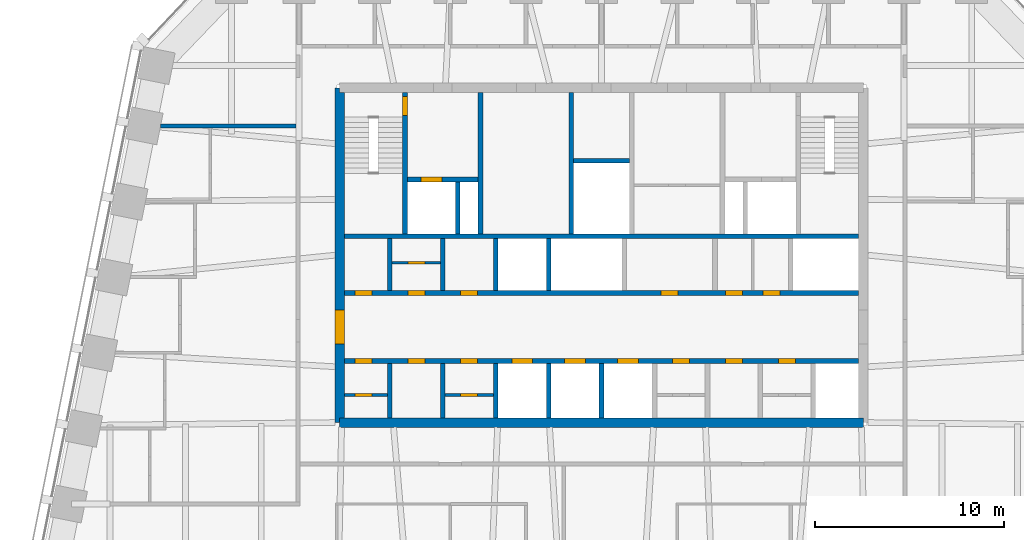
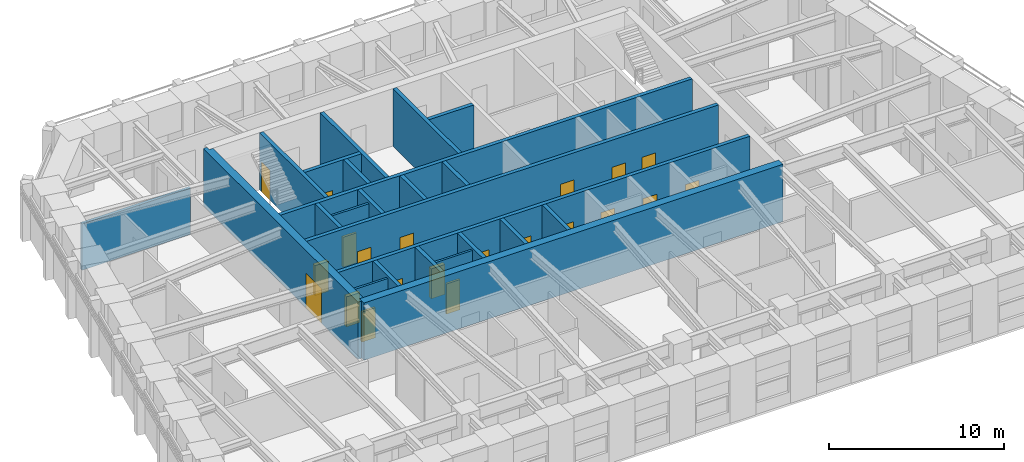
# One storey, part 6 of 11: 24 walls, 21 doors, 21 openings.
"""IFC4 building model written with IfcOpenShell, lengths in metres."""

from ifc_helpers import new_model, si_unit, direction, frame, frame_2d, origin, place, context, subcontext, project, spatial, polyline, rectangle, outline, extrude, material, layer, layer_set, type_object, element, fill, save


model = new_model("IFC4")

# Units and contexts
model_context = context("Model", 3, precision=1e-05, world=origin(), true_north=direction((0.0, 1.0)))
body_context = subcontext(model_context, "Body", "Model", "MODEL_VIEW")
ifc_project = project(units=[si_unit("LENGTHUNIT", "METRE"), si_unit("AREAUNIT", "SQUARE_METRE"), si_unit("VOLUMEUNIT", "CUBIC_METRE"), si_unit("PLANEANGLEUNIT", "RADIAN"), si_unit("MASSUNIT", "GRAM", prefix="KILO")], contexts=[model_context])

# Site, building, storey
site_placement = place(None, origin())
site = spatial("IfcSite", under=ifc_project, at=site_placement, CompositionType="ELEMENT")
building_placement = place(site_placement, origin())
building = spatial("IfcBuilding", under=site, at=building_placement, Name="Isbrekke Arena Tower", CompositionType="ELEMENT")
storey_placement = place(building_placement, frame((0.0, 0.0, 276.0)))
storey = spatial("IfcBuildingStorey", under=building, at=storey_placement, Name="L64", CompositionType="ELEMENT", Elevation=276.0)

# Wall
ifc_material_1 = material(Name="Concrete B55 (C55/67)", Category="concrete")
ifc_layer_1 = layer(ifc_material_1, 0.5)
ifc_layer_set_1 = layer_set([ifc_layer_1], Name="CW5 CORE WALL 500")
wall_type_1 = type_object("IfcWallType", Name="CW5 CORE WALL 500", PredefinedType="SHEAR", material=ifc_layer_set_1)
wall_1_placement = place(storey_placement, frame((-13.85009765625, 6.14990234375, 0.0), z_axis=(0.0, 0.0, 1.0), x_axis=(1.0, 0.0, 0.0)))
element("IfcWall", 1, at=wall_1_placement, inside=storey, type_object=wall_type_1, Name="Core wall S L64", PredefinedType="SHEAR", context=body_context, shape_type="SweptSolid", body=[
    extrude(rectangle(XDim=27.7001953125, YDim=0.5, at=frame_2d((13.85009765625, 0.0))), origin(), (0.0, 0.0, 1.0), 4.0),
])

# Wall, opening, door
wall_2_placement = place(storey_placement, frame((-13.85009765625, 23.85009765625, 0.0), z_axis=(0.0, 0.0, 1.0), x_axis=(0.0, -1.0, 0.0)))
wall_2 = element("IfcWall", 2, at=wall_2_placement, inside=storey, type_object=wall_type_1, Name="Core wall W L64", PredefinedType="SHEAR", context=body_context, shape_type="SweptSolid", body=[
    extrude(outline(polyline([(0.0, -0.25), (17.7001953125, -0.25), (17.7001953125, 0.0), (17.4501953125, 0.0), (17.4501953125, 0.25), (0.25, 0.25), (0.25, 0.0), (0.0, 0.0), (0.0, -0.25)])), origin(), (0.0, 0.0, 1.0), 4.0),
])
opening_1_placement = place(wall_2_placement, frame((11.75, 0.0, 0.0)))
opening_1 = element("IfcOpeningElement", 3, at=opening_1_placement, cuts=wall_2, Name="Opening D1", PredefinedType="OPENING", context=body_context, shape_type="SweptSolid", body=[
    extrude(rectangle(XDim=1.800048828125, YDim=2.39990234375, at=frame_2d((0.89990234375, 1.199951171875))), frame((0.0, 0.264892578125, 0.0), z_axis=(0.0, -1.0, 0.0), x_axis=(1.0, 0.0, 0.0)), (0.0, 0.0, 1.0), 0.52978515625),
])
ifc_material_2 = material(Name="Steel-framed glazed fire door", Category="steel")
door_type_1 = type_object("IfcDoorType", Name="D1 CORE LOBBY DOOR 1800 x 2400", OperationType="DOUBLE_DOOR_SINGLE_SWING", PredefinedType="DOOR", material=ifc_material_2)
door_1_placement = place(opening_1_placement, origin())
door_1 = element("IfcDoor", 4, at=door_1_placement, inside=storey, type_object=door_type_1, Name="D1 lift lobby door west L64", OperationType="DOUBLE_DOOR_SINGLE_SWING", OverallHeight=2.39990234375, OverallWidth=1.800048828125, PredefinedType="DOOR", context=body_context, shape_type="SweptSolid", body=[
    extrude(rectangle(XDim=1.800048828125, YDim=2.39990234375, at=frame_2d((0.89990234375, 1.199951171875))), frame((0.0, 0.249755859375, 0.0), z_axis=(0.0, -1.0, 0.0), x_axis=(1.0, 0.0, 0.0)), (0.0, 0.0, 1.0), 0.49951171875),
])
fill(opening_1, door_1)

# Wall, openings, doors
ifc_material_3 = material(Name="Concrete B45 (C45/55)", Category="concrete")
ifc_layer_2 = layer(ifc_material_3, 0.25)
ifc_layer_set_2 = layer_set([ifc_layer_2], Name="CW6 SHAFT WALL 250")
wall_type_2 = type_object("IfcWallType", Name="CW6 SHAFT WALL 250", PredefinedType="SHEAR", material=ifc_layer_set_2)
wall_3_placement = place(storey_placement, frame((-13.60009765625, 9.39990234375, 0.0), z_axis=(0.0, 0.0, 1.0), x_axis=(1.0, 0.0, 0.0)))
wall_3 = element("IfcWall", 5, at=wall_3_placement, inside=storey, type_object=wall_type_2, Name="Core wall LS L64", PredefinedType="SHEAR", context=body_context, shape_type="SweptSolid", body=[
    extrude(rectangle(XDim=27.2001953125, YDim=0.25, at=frame_2d((13.60009765625, 0.0))), origin(), (0.0, 0.0, 1.0), 4.0),
])
opening_2_placement = place(wall_3_placement, frame((8.85009765625, 0.0, 0.0)))
opening_2 = element("IfcOpeningElement", 6, at=opening_2_placement, cuts=wall_3, Name="Opening LD1", PredefinedType="OPENING", context=body_context, shape_type="SweptSolid", body=[
    extrude(rectangle(XDim=1.10009765625, YDim=2.10009765625, at=frame_2d((0.550048828125, 1.050048828125))), frame((0.0, 0.139892578125, 0.0), z_axis=(0.0, -1.0, 0.0), x_axis=(1.0, 0.0, 0.0)), (0.0, 0.0, 1.0), 0.27978515625),
])
opening_3_placement = place(wall_3_placement, frame((11.64990234375, 0.0, 0.0)))
opening_3 = element("IfcOpeningElement", 7, at=opening_3_placement, cuts=wall_3, Name="Opening LD1", PredefinedType="OPENING", context=body_context, shape_type="SweptSolid", body=[
    extrude(rectangle(XDim=1.10009765625, YDim=2.10009765625, at=frame_2d((0.550048828125, 1.050048828125))), frame((0.0, 0.139892578125, 0.0), z_axis=(0.0, -1.0, 0.0), x_axis=(1.0, 0.0, 0.0)), (0.0, 0.0, 1.0), 0.27978515625),
])
opening_4_placement = place(wall_3_placement, frame((14.449951171875, 0.0, 0.0)))
opening_4 = element("IfcOpeningElement", 8, at=opening_4_placement, cuts=wall_3, Name="Opening LD1", PredefinedType="OPENING", context=body_context, shape_type="SweptSolid", body=[
    extrude(rectangle(XDim=1.10009765625, YDim=2.10009765625, at=frame_2d((0.550048828125, 1.050048828125))), frame((0.0, 0.139892578125, 0.0), z_axis=(0.0, -1.0, 0.0), x_axis=(1.0, 0.0, 0.0)), (0.0, 0.0, 1.0), 0.27978515625),
])
opening_5_placement = place(wall_3_placement, frame((0.550048828125, 0.0, 0.0)))
opening_5 = element("IfcOpeningElement", 9, at=opening_5_placement, cuts=wall_3, Name="Opening D5", PredefinedType="OPENING", context=body_context, shape_type="SweptSolid", body=[
    extrude(rectangle(XDim=0.89990234375, YDim=2.10009765625, at=frame_2d((0.449951171875, 1.050048828125))), frame((0.0, 0.139892578125, 0.0), z_axis=(0.0, -1.0, 0.0), x_axis=(1.0, 0.0, 0.0)), (0.0, 0.0, 1.0), 0.27978515625),
])
opening_6_placement = place(wall_3_placement, frame((3.35009765625, 0.0, 0.0)))
opening_6 = element("IfcOpeningElement", 10, at=opening_6_placement, cuts=wall_3, Name="Opening D5", PredefinedType="OPENING", context=body_context, shape_type="SweptSolid", body=[
    extrude(rectangle(XDim=0.89990234375, YDim=2.10009765625, at=frame_2d((0.449951171875, 1.050048828125))), frame((0.0, 0.139892578125, 0.0), z_axis=(0.0, -1.0, 0.0), x_axis=(1.0, 0.0, 0.0)), (0.0, 0.0, 1.0), 0.27978515625),
])
opening_7_placement = place(wall_3_placement, frame((6.14990234375, 0.0, 0.0)))
opening_7 = element("IfcOpeningElement", 11, at=opening_7_placement, cuts=wall_3, Name="Opening D5", PredefinedType="OPENING", context=body_context, shape_type="SweptSolid", body=[
    extrude(rectangle(XDim=0.89990234375, YDim=2.10009765625, at=frame_2d((0.449951171875, 1.050048828125))), frame((0.0, 0.139892578125, 0.0), z_axis=(0.0, -1.0, 0.0), x_axis=(1.0, 0.0, 0.0)), (0.0, 0.0, 1.0), 0.27978515625),
])
opening_8_placement = place(wall_3_placement, frame((17.35009765625, 0.0, 0.0)))
opening_8 = element("IfcOpeningElement", 12, at=opening_8_placement, cuts=wall_3, Name="Opening D5", PredefinedType="OPENING", context=body_context, shape_type="SweptSolid", body=[
    extrude(rectangle(XDim=0.89990234375, YDim=2.10009765625, at=frame_2d((0.449951171875, 1.050048828125))), frame((0.0, 0.139892578125, 0.0), z_axis=(0.0, -1.0, 0.0), x_axis=(1.0, 0.0, 0.0)), (0.0, 0.0, 1.0), 0.27978515625),
])
opening_9_placement = place(wall_3_placement, frame((20.14990234375, 0.0, 0.0)))
opening_9 = element("IfcOpeningElement", 13, at=opening_9_placement, cuts=wall_3, Name="Opening D5", PredefinedType="OPENING", context=body_context, shape_type="SweptSolid", body=[
    extrude(rectangle(XDim=0.89990234375, YDim=2.10009765625, at=frame_2d((0.449951171875, 1.050048828125))), frame((0.0, 0.139892578125, 0.0), z_axis=(0.0, -1.0, 0.0), x_axis=(1.0, 0.0, 0.0)), (0.0, 0.0, 1.0), 0.27978515625),
])
opening_10_placement = place(wall_3_placement, frame((22.949951171875, 0.0, 0.0)))
opening_10 = element("IfcOpeningElement", 14, at=opening_10_placement, cuts=wall_3, Name="Opening D5", PredefinedType="OPENING", context=body_context, shape_type="SweptSolid", body=[
    extrude(rectangle(XDim=0.89990234375, YDim=2.10009765625, at=frame_2d((0.449951171875, 1.050048828125))), frame((0.0, 0.139892578125, 0.0), z_axis=(0.0, -1.0, 0.0), x_axis=(1.0, 0.0, 0.0)), (0.0, 0.0, 1.0), 0.27978515625),
])
ifc_material_4 = material(Name="Steel fire door", Category="steel")
door_type_2 = type_object("IfcDoorType", Name="D5 SERVICE DOOR 900 x 2100", OperationType="SINGLE_SWING_LEFT", PredefinedType="DOOR", material=ifc_material_4)
door_2_placement = place(opening_5_placement, origin())
door_2 = element("IfcDoor", 15, at=door_2_placement, inside=storey, type_object=door_type_2, Name="D5 mothers' room door L64", OperationType="SINGLE_SWING_LEFT", OverallHeight=2.10009765625, OverallWidth=0.89990234375, PredefinedType="DOOR", context=body_context, shape_type="SweptSolid", body=[
    extrude(rectangle(XDim=0.89990234375, YDim=2.10009765625, at=frame_2d((0.449951171875, 1.050048828125))), frame((0.0, 0.124755859375, 0.0), z_axis=(0.0, -1.0, 0.0), x_axis=(1.0, 0.0, 0.0)), (0.0, 0.0, 1.0), 0.24951171875),
])
fill(opening_5, door_2)
door_3_placement = place(opening_6_placement, origin())
door_3 = element("IfcDoor", 16, at=door_3_placement, inside=storey, type_object=door_type_2, Name="D5 technical room door L64", OperationType="SINGLE_SWING_LEFT", OverallHeight=2.10009765625, OverallWidth=0.89990234375, PredefinedType="DOOR", context=body_context, shape_type="SweptSolid", body=[
    extrude(rectangle(XDim=0.89990234375, YDim=2.10009765625, at=frame_2d((0.449951171875, 1.050048828125))), frame((0.0, 0.124755859375, 0.0), z_axis=(0.0, -1.0, 0.0), x_axis=(1.0, 0.0, 0.0)), (0.0, 0.0, 1.0), 0.24951171875),
])
fill(opening_6, door_3)
door_4_placement = place(opening_7_placement, origin())
door_4 = element("IfcDoor", 17, at=door_4_placement, inside=storey, type_object=door_type_2, Name="D5 pantry door L64", OperationType="SINGLE_SWING_LEFT", OverallHeight=2.10009765625, OverallWidth=0.89990234375, PredefinedType="DOOR", context=body_context, shape_type="SweptSolid", body=[
    extrude(rectangle(XDim=0.89990234375, YDim=2.10009765625, at=frame_2d((0.449951171875, 1.050048828125))), frame((0.0, 0.124755859375, 0.0), z_axis=(0.0, -1.0, 0.0), x_axis=(1.0, 0.0, 0.0)), (0.0, 0.0, 1.0), 0.24951171875),
])
fill(opening_7, door_4)
door_5_placement = place(opening_8_placement, origin())
door_5 = element("IfcDoor", 18, at=door_5_placement, inside=storey, type_object=door_type_2, Name="D5 print room door L64", OperationType="SINGLE_SWING_LEFT", OverallHeight=2.10009765625, OverallWidth=0.89990234375, PredefinedType="DOOR", context=body_context, shape_type="SweptSolid", body=[
    extrude(rectangle(XDim=0.89990234375, YDim=2.10009765625, at=frame_2d((0.449951171875, 1.050048828125))), frame((0.0, 0.124755859375, 0.0), z_axis=(0.0, -1.0, 0.0), x_axis=(1.0, 0.0, 0.0)), (0.0, 0.0, 1.0), 0.24951171875),
])
fill(opening_8, door_5)
door_6_placement = place(opening_9_placement, origin())
door_6 = element("IfcDoor", 19, at=door_6_placement, inside=storey, type_object=door_type_2, Name="D5 archive door L64", OperationType="SINGLE_SWING_LEFT", OverallHeight=2.10009765625, OverallWidth=0.89990234375, PredefinedType="DOOR", context=body_context, shape_type="SweptSolid", body=[
    extrude(rectangle(XDim=0.89990234375, YDim=2.10009765625, at=frame_2d((0.449951171875, 1.050048828125))), frame((0.0, 0.124755859375, 0.0), z_axis=(0.0, -1.0, 0.0), x_axis=(1.0, 0.0, 0.0)), (0.0, 0.0, 1.0), 0.24951171875),
])
fill(opening_9, door_6)
door_7_placement = place(opening_10_placement, origin())
door_7 = element("IfcDoor", 20, at=door_7_placement, inside=storey, type_object=door_type_2, Name="D5 tea point door L64", OperationType="SINGLE_SWING_LEFT", OverallHeight=2.10009765625, OverallWidth=0.89990234375, PredefinedType="DOOR", context=body_context, shape_type="SweptSolid", body=[
    extrude(rectangle(XDim=0.89990234375, YDim=2.10009765625, at=frame_2d((0.449951171875, 1.050048828125))), frame((0.0, 0.124755859375, 0.0), z_axis=(0.0, -1.0, 0.0), x_axis=(1.0, 0.0, 0.0)), (0.0, 0.0, 1.0), 0.24951171875),
])
fill(opening_10, door_7)
ifc_material_5 = material(Name="Stainless steel lift landing door", Category="steel")
door_type_3 = type_object("IfcDoorType", Name="LD1 LIFT LANDING DOOR 1100 x 2100", OperationType="SLIDING_TO_LEFT", PredefinedType="DOOR", material=ifc_material_5)
door_8_placement = place(opening_2_placement, origin())
door_8 = element("IfcDoor", 21, at=door_8_placement, inside=storey, type_object=door_type_3, Name="LD1 lift landing door LE L64", OperationType="SLIDING_TO_LEFT", OverallHeight=2.10009765625, OverallWidth=1.10009765625, PredefinedType="DOOR", context=body_context, shape_type="SweptSolid", body=[
    extrude(rectangle(XDim=1.10009765625, YDim=2.10009765625, at=frame_2d((0.550048828125, 1.050048828125))), frame((0.0, 0.124755859375, 0.0), z_axis=(0.0, -1.0, 0.0), x_axis=(1.0, 0.0, 0.0)), (0.0, 0.0, 1.0), 0.24951171875),
])
fill(opening_2, door_8)
door_9_placement = place(opening_3_placement, origin())
door_9 = element("IfcDoor", 22, at=door_9_placement, inside=storey, type_object=door_type_3, Name="LD1 lift landing door LE L64", OperationType="SLIDING_TO_LEFT", OverallHeight=2.10009765625, OverallWidth=1.10009765625, PredefinedType="DOOR", context=body_context, shape_type="SweptSolid", body=[
    extrude(rectangle(XDim=1.10009765625, YDim=2.10009765625, at=frame_2d((0.550048828125, 1.050048828125))), frame((0.0, 0.124755859375, 0.0), z_axis=(0.0, -1.0, 0.0), x_axis=(1.0, 0.0, 0.0)), (0.0, 0.0, 1.0), 0.24951171875),
])
fill(opening_3, door_9)
door_10_placement = place(opening_4_placement, origin())
door_10 = element("IfcDoor", 23, at=door_10_placement, inside=storey, type_object=door_type_3, Name="LD1 lift landing door LE L64", OperationType="SLIDING_TO_LEFT", OverallHeight=2.10009765625, OverallWidth=1.10009765625, PredefinedType="DOOR", context=body_context, shape_type="SweptSolid", body=[
    extrude(rectangle(XDim=1.10009765625, YDim=2.10009765625, at=frame_2d((0.550048828125, 1.050048828125))), frame((0.0, 0.124755859375, 0.0), z_axis=(0.0, -1.0, 0.0), x_axis=(1.0, 0.0, 0.0)), (0.0, 0.0, 1.0), 0.24951171875),
])
fill(opening_4, door_10)

wall_4_placement = place(storey_placement, frame((-13.60009765625, 13.0, 0.0), z_axis=(0.0, 0.0, 1.0), x_axis=(1.0, 0.0, 0.0)))
wall_4 = element("IfcWall", 24, at=wall_4_placement, inside=storey, type_object=wall_type_2, Name="Core wall LN L64", PredefinedType="SHEAR", context=body_context, shape_type="SweptSolid", body=[
    extrude(rectangle(XDim=27.2001953125, YDim=0.25, at=frame_2d((13.60009765625, 0.0))), origin(), (0.0, 0.0, 1.0), 4.0),
])
opening_11_placement = place(wall_4_placement, frame((16.75, 0.0, 0.0)))
opening_11 = element("IfcOpeningElement", 25, at=opening_11_placement, cuts=wall_4, Name="Opening D5", PredefinedType="OPENING", context=body_context, shape_type="SweptSolid", body=[
    extrude(rectangle(XDim=0.89990234375, YDim=2.10009765625, at=frame_2d((0.449951171875, 1.050048828125))), frame((0.0, 0.139892578125, 0.0), z_axis=(0.0, -1.0, 0.0), x_axis=(1.0, 0.0, 0.0)), (0.0, 0.0, 1.0), 0.27978515625),
])
opening_12_placement = place(wall_4_placement, frame((20.14990234375, 0.0, 0.0)))
opening_12 = element("IfcOpeningElement", 26, at=opening_12_placement, cuts=wall_4, Name="Opening D5", PredefinedType="OPENING", context=body_context, shape_type="SweptSolid", body=[
    extrude(rectangle(XDim=0.89990234375, YDim=2.10009765625, at=frame_2d((0.449951171875, 1.050048828125))), frame((0.0, 0.139892578125, 0.0), z_axis=(0.0, -1.0, 0.0), x_axis=(1.0, 0.0, 0.0)), (0.0, 0.0, 1.0), 0.27978515625),
])
opening_13_placement = place(wall_4_placement, frame((22.14990234375, 0.0, 0.0)))
opening_13 = element("IfcOpeningElement", 27, at=opening_13_placement, cuts=wall_4, Name="Opening D5", PredefinedType="OPENING", context=body_context, shape_type="SweptSolid", body=[
    extrude(rectangle(XDim=0.89990234375, YDim=2.10009765625, at=frame_2d((0.449951171875, 1.050048828125))), frame((0.0, 0.139892578125, 0.0), z_axis=(0.0, -1.0, 0.0), x_axis=(1.0, 0.0, 0.0)), (0.0, 0.0, 1.0), 0.27978515625),
])
opening_14_placement = place(wall_4_placement, frame((0.550048828125, 0.0, 0.0)))
opening_14 = element("IfcOpeningElement", 28, at=opening_14_placement, cuts=wall_4, Name="Opening D5", PredefinedType="OPENING", context=body_context, shape_type="SweptSolid", body=[
    extrude(rectangle(XDim=0.89990234375, YDim=2.10009765625, at=frame_2d((0.449951171875, 1.050048828125))), frame((0.0, 0.139892578125, 0.0), z_axis=(0.0, -1.0, 0.0), x_axis=(1.0, 0.0, 0.0)), (0.0, 0.0, 1.0), 0.27978515625),
])
opening_15_placement = place(wall_4_placement, frame((3.35009765625, 0.0, 0.0)))
opening_15 = element("IfcOpeningElement", 29, at=opening_15_placement, cuts=wall_4, Name="Opening D5", PredefinedType="OPENING", context=body_context, shape_type="SweptSolid", body=[
    extrude(rectangle(XDim=0.89990234375, YDim=2.10009765625, at=frame_2d((0.449951171875, 1.050048828125))), frame((0.0, 0.139892578125, 0.0), z_axis=(0.0, -1.0, 0.0), x_axis=(1.0, 0.0, 0.0)), (0.0, 0.0, 1.0), 0.27978515625),
])
opening_16_placement = place(wall_4_placement, frame((6.14990234375, 0.0, 0.0)))
opening_16 = element("IfcOpeningElement", 30, at=opening_16_placement, cuts=wall_4, Name="Opening D5", PredefinedType="OPENING", context=body_context, shape_type="SweptSolid", body=[
    extrude(rectangle(XDim=0.89990234375, YDim=2.10009765625, at=frame_2d((0.449951171875, 1.050048828125))), frame((0.0, 0.139892578125, 0.0), z_axis=(0.0, -1.0, 0.0), x_axis=(1.0, 0.0, 0.0)), (0.0, 0.0, 1.0), 0.27978515625),
])
door_11_placement = place(opening_11_placement, origin())
door_11 = element("IfcDoor", 31, at=door_11_placement, inside=storey, type_object=door_type_2, Name="D5 quiet room door L64", OperationType="SINGLE_SWING_LEFT", OverallHeight=2.10009765625, OverallWidth=0.89990234375, PredefinedType="DOOR", context=body_context, shape_type="SweptSolid", body=[
    extrude(rectangle(XDim=0.89990234375, YDim=2.10009765625, at=frame_2d((0.449951171875, 1.050048828125))), frame((0.0, 0.124755859375, 0.0), z_axis=(0.0, -1.0, 0.0), x_axis=(1.0, 0.0, 0.0)), (0.0, 0.0, 1.0), 0.24951171875),
])
fill(opening_11, door_11)
door_12_placement = place(opening_12_placement, origin())
door_12 = element("IfcDoor", 32, at=door_12_placement, inside=storey, type_object=door_type_2, Name="D5 communications room door L64", OperationType="SINGLE_SWING_LEFT", OverallHeight=2.10009765625, OverallWidth=0.89990234375, PredefinedType="DOOR", context=body_context, shape_type="SweptSolid", body=[
    extrude(rectangle(XDim=0.89990234375, YDim=2.10009765625, at=frame_2d((0.449951171875, 1.050048828125))), frame((0.0, 0.124755859375, 0.0), z_axis=(0.0, -1.0, 0.0), x_axis=(1.0, 0.0, 0.0)), (0.0, 0.0, 1.0), 0.24951171875),
])
fill(opening_12, door_12)
door_13_placement = place(opening_13_placement, origin())
door_13 = element("IfcDoor", 33, at=door_13_placement, inside=storey, type_object=door_type_2, Name="D5 cleaner's store door L64", OperationType="SINGLE_SWING_LEFT", OverallHeight=2.10009765625, OverallWidth=0.89990234375, PredefinedType="DOOR", context=body_context, shape_type="SweptSolid", body=[
    extrude(rectangle(XDim=0.89990234375, YDim=2.10009765625, at=frame_2d((0.449951171875, 1.050048828125))), frame((0.0, 0.124755859375, 0.0), z_axis=(0.0, -1.0, 0.0), x_axis=(1.0, 0.0, 0.0)), (0.0, 0.0, 1.0), 0.24951171875),
])
fill(opening_13, door_13)
door_14_placement = place(opening_14_placement, origin())
door_14 = element("IfcDoor", 34, at=door_14_placement, inside=storey, type_object=door_type_2, Name="D5 print room door L64", OperationType="SINGLE_SWING_LEFT", OverallHeight=2.10009765625, OverallWidth=0.89990234375, PredefinedType="DOOR", context=body_context, shape_type="SweptSolid", body=[
    extrude(rectangle(XDim=0.89990234375, YDim=2.10009765625, at=frame_2d((0.449951171875, 1.050048828125))), frame((0.0, 0.124755859375, 0.0), z_axis=(0.0, -1.0, 0.0), x_axis=(1.0, 0.0, 0.0)), (0.0, 0.0, 1.0), 0.24951171875),
])
fill(opening_14, door_14)
door_15_placement = place(opening_15_placement, origin())
door_15 = element("IfcDoor", 35, at=door_15_placement, inside=storey, type_object=door_type_2, Name="D5 print room door L64", OperationType="SINGLE_SWING_LEFT", OverallHeight=2.10009765625, OverallWidth=0.89990234375, PredefinedType="DOOR", context=body_context, shape_type="SweptSolid", body=[
    extrude(rectangle(XDim=0.89990234375, YDim=2.10009765625, at=frame_2d((0.449951171875, 1.050048828125))), frame((0.0, 0.124755859375, 0.0), z_axis=(0.0, -1.0, 0.0), x_axis=(1.0, 0.0, 0.0)), (0.0, 0.0, 1.0), 0.24951171875),
])
fill(opening_15, door_15)
door_16_placement = place(opening_16_placement, origin())
door_16 = element("IfcDoor", 36, at=door_16_placement, inside=storey, type_object=door_type_2, Name="D5 tenant store door L64", OperationType="SINGLE_SWING_LEFT", OverallHeight=2.10009765625, OverallWidth=0.89990234375, PredefinedType="DOOR", context=body_context, shape_type="SweptSolid", body=[
    extrude(rectangle(XDim=0.89990234375, YDim=2.10009765625, at=frame_2d((0.449951171875, 1.050048828125))), frame((0.0, 0.124755859375, 0.0), z_axis=(0.0, -1.0, 0.0), x_axis=(1.0, 0.0, 0.0)), (0.0, 0.0, 1.0), 0.24951171875),
])
fill(opening_16, door_16)

# Walls
wall_5_placement = place(storey_placement, frame((-13.60009765625, 16.0, 0.0), z_axis=(0.0, 0.0, 1.0), x_axis=(1.0, 0.0, 0.0)))
element("IfcWall", 37, at=wall_5_placement, inside=storey, type_object=wall_type_2, Name="Core wall NB L64", PredefinedType="SHEAR", context=body_context, shape_type="SweptSolid", body=[
    extrude(rectangle(XDim=27.2001953125, YDim=0.25, at=frame_2d((13.60009765625, 0.0))), origin(), (0.0, 0.0, 1.0), 4.0),
])
for number, where, z_axis, x_axis, name in (
    (38, (-11.199951171875, 6.39990234375, 0.0), (0.0, 0.0, 1.0), (0.0, 1.0, 0.0), "Core wall SS01 L64"),
    (39, (-8.39990234375, 6.39990234375, 0.0), (0.0, 0.0, 1.0), (0.0, 1.0, 0.0), "Core wall SS02 L64"),
    (40, (-5.60009765625, 6.39990234375, 0.0), (0.0, 0.0, 1.0), (0.0, 1.0, 0.0), "Core wall SS03 L64"),
    (41, (-2.800048828125, 6.39990234375, 0.0), (0.0, 0.0, 1.0), (0.0, 1.0, 0.0), "Core wall SS04 L64"),
    (42, (0.0, 6.39990234375, 0.0), (0.0, 0.0, 1.0), (0.0, 1.0, 0.0), "Core wall SS05 L64"),
):
    element("IfcWall", number, at=place(storey_placement, frame(where, z_axis=z_axis, x_axis=x_axis)), inside=storey, type_object=wall_type_2, Name=name, PredefinedType="SHEAR", context=body_context, shape_type="SweptSolid", body=[
        extrude(rectangle(XDim=2.875, YDim=0.25, at=frame_2d((1.4375, 0.0))), origin(), (0.0, 0.0, 1.0), 4.0),
    ])
for number, where, z_axis, x_axis, name in (
    (43, (-11.199951171875, 13.125, 0.0), (0.0, 0.0, 1.0), (0.0, 1.0, 0.0), "Core wall SN01 L64"),
    (44, (-8.39990234375, 13.125, 0.0), (0.0, 0.0, 1.0), (0.0, 1.0, 0.0), "Core wall SN02 L64"),
    (45, (-5.60009765625, 13.125, 0.0), (0.0, 0.0, 1.0), (0.0, 1.0, 0.0), "Core wall SN03 L64"),
    (46, (-2.800048828125, 13.125, 0.0), (0.0, 0.0, 1.0), (0.0, 1.0, 0.0), "Core wall SN04 L64"),
):
    element("IfcWall", number, at=place(storey_placement, frame(where, z_axis=z_axis, x_axis=x_axis)), inside=storey, type_object=wall_type_2, Name=name, PredefinedType="SHEAR", context=body_context, shape_type="SweptSolid", body=[
        extrude(rectangle(XDim=2.75, YDim=0.25, at=frame_2d((1.375, 0.0))), origin(), (0.0, 0.0, 1.0), 4.0),
    ])

# Wall, opening, door
wall_6_placement = place(storey_placement, frame((-10.39990234375, 16.125, 0.0), z_axis=(0.0, 0.0, 1.0), x_axis=(0.0, 1.0, 0.0)))
wall_6 = element("IfcWall", 47, at=wall_6_placement, inside=storey, type_object=wall_type_2, Name="Core wall NV01 L64", PredefinedType="SHEAR", context=body_context, shape_type="SweptSolid", body=[
    extrude(rectangle(XDim=7.47509765625, YDim=0.25, at=frame_2d((3.737548828125, 0.0))), origin(), (0.0, 0.0, 1.0), 4.0),
])
opening_17_placement = place(wall_6_placement, frame((6.27490234375, 0.0, 0.0)))
opening_17 = element("IfcOpeningElement", 48, at=opening_17_placement, cuts=wall_6, Name="Opening D2", PredefinedType="OPENING", context=body_context, shape_type="SweptSolid", body=[
    extrude(rectangle(XDim=1.0, YDim=2.10009765625, at=frame_2d((0.5, 1.050048828125))), frame((0.0, 0.139892578125, 0.0), z_axis=(0.0, -1.0, 0.0), x_axis=(1.0, 0.0, 0.0)), (0.0, 0.0, 1.0), 0.27978515625),
])
ifc_material_6 = material(Name="Steel fire door", Category="steel")
door_type_4 = type_object("IfcDoorType", Name="D2 STAIR DOOR 1000 x 2100", OperationType="SINGLE_SWING_LEFT", PredefinedType="DOOR", material=ifc_material_6)
door_17_placement = place(opening_17_placement, origin())
door_17 = element("IfcDoor", 49, at=door_17_placement, inside=storey, type_object=door_type_4, Name="D2 stair door ST1 L64", OperationType="SINGLE_SWING_LEFT", OverallHeight=2.10009765625, OverallWidth=1.0, PredefinedType="DOOR", context=body_context, shape_type="SweptSolid", body=[
    extrude(rectangle(XDim=1.0, YDim=2.10009765625, at=frame_2d((0.5, 1.050048828125))), frame((0.0, 0.124755859375, 0.0), z_axis=(0.0, -1.0, 0.0), x_axis=(1.0, 0.0, 0.0)), (0.0, 0.0, 1.0), 0.24951171875),
])
fill(opening_17, door_17)

# Walls
for number, where, z_axis, x_axis, name in (
    (50, (-6.39990234375, 16.125, 0.0), (0.0, 0.0, 1.0), (0.0, 1.0, 0.0), "Core wall NV02 L64"),
    (51, (-1.60009765625, 16.125, 0.0), (0.0, 0.0, 1.0), (0.0, 1.0, 0.0), "Core wall NV03 L64"),
):
    element("IfcWall", number, at=place(storey_placement, frame(where, z_axis=z_axis, x_axis=x_axis)), inside=storey, type_object=wall_type_2, Name=name, PredefinedType="SHEAR", context=body_context, shape_type="SweptSolid", body=[
        extrude(rectangle(XDim=7.47509765625, YDim=0.25, at=frame_2d((3.737548828125, 0.0))), origin(), (0.0, 0.0, 1.0), 4.0),
    ])

# Wall, opening, door
wall_7_placement = place(storey_placement, frame((-10.27490234375, 19.0, 0.0), z_axis=(0.0, 0.0, 1.0), x_axis=(1.0, 0.0, 0.0)))
wall_7 = element("IfcWall", 52, at=wall_7_placement, inside=storey, type_object=wall_type_2, Name="Core wall NFW L64", PredefinedType="SHEAR", context=body_context, shape_type="SweptSolid", body=[
    extrude(rectangle(XDim=3.75, YDim=0.25, at=frame_2d((1.875, 0.0))), origin(), (0.0, 0.0, 1.0), 4.0),
])
opening_18_placement = place(wall_7_placement, frame((0.72509765625, 0.0, 0.0)))
opening_18 = element("IfcOpeningElement", 53, at=opening_18_placement, cuts=wall_7, Name="Opening LD2", PredefinedType="OPENING", context=body_context, shape_type="SweptSolid", body=[
    extrude(rectangle(XDim=1.10009765625, YDim=2.10009765625, at=frame_2d((0.550048828125, 1.050048828125))), frame((0.0, 0.139892578125, 0.0), z_axis=(0.0, -1.0, 0.0), x_axis=(1.0, 0.0, 0.0)), (0.0, 0.0, 1.0), 0.27978515625),
])
ifc_material_7 = material(Name="Stainless steel lift landing door", Category="steel")
door_type_5 = type_object("IfcDoorType", Name="LD2 FIRE-FIGHTING LIFT LANDING DOOR 1100 x 2100", OperationType="SLIDING_TO_RIGHT", PredefinedType="DOOR", material=ifc_material_7)
door_18_placement = place(opening_18_placement, origin())
door_18 = element("IfcDoor", 54, at=door_18_placement, inside=storey, type_object=door_type_5, Name="LD2 lift landing door LF L64", OperationType="SLIDING_TO_RIGHT", OverallHeight=2.10009765625, OverallWidth=1.10009765625, PredefinedType="DOOR", context=body_context, shape_type="SweptSolid", body=[
    extrude(rectangle(XDim=1.10009765625, YDim=2.10009765625, at=frame_2d((0.550048828125, 1.050048828125))), frame((0.0, 0.124755859375, 0.0), z_axis=(0.0, -1.0, 0.0), x_axis=(1.0, 0.0, 0.0)), (0.0, 0.0, 1.0), 0.24951171875),
])
fill(opening_18, door_18)

# Walls
wall_8_placement = place(storey_placement, frame((-7.60009765625, 16.125, 0.0), z_axis=(0.0, 0.0, 1.0), x_axis=(0.0, 1.0, 0.0)))
element("IfcWall", 55, at=wall_8_placement, inside=storey, type_object=wall_type_2, Name="Core wall NFS1 L64", PredefinedType="SHEAR", context=body_context, shape_type="SweptSolid", body=[
    extrude(rectangle(XDim=2.75, YDim=0.25, at=frame_2d((1.375, 0.0))), origin(), (0.0, 0.0, 1.0), 4.0),
])
wall_9_placement = place(storey_placement, frame((-1.47509765625, 20.0, 0.0), z_axis=(0.0, 0.0, 1.0), x_axis=(1.0, 0.0, 0.0)))
element("IfcWall", 56, at=wall_9_placement, inside=storey, type_object=wall_type_2, Name="Core wall NWC L64", PredefinedType="SHEAR", context=body_context, shape_type="SweptSolid", body=[
    extrude(rectangle(XDim=2.9501953125, YDim=0.25, at=frame_2d((1.47509765625, 0.0))), origin(), (0.0, 0.0, 1.0), 4.0),
])
ifc_material_8 = material(Name="Gypsum board fire-cell wall on steel studs, two layers each side", Category="steel")
ifc_layer_3 = layer(ifc_material_8, 0.199951171875)
ifc_layer_set_3 = layer_set([ifc_layer_3], Name="IW3 FIRE-CELL WALL 200")
wall_type_3 = type_object("IfcWallType", Name="IW3 FIRE-CELL WALL 200", PredefinedType="PARTITIONING", material=ifc_layer_set_3)
wall_10_placement = place(storey_placement, frame((-23.32373046875, 21.840087890625, 0.0), z_axis=(0.0, 0.0, 1.0), x_axis=(1.0, 0.0, 0.0)))
element("IfcWall", 57, at=wall_10_placement, inside=storey, type_object=wall_type_3, Name="IW3 fire-cell wall 200 L64", PredefinedType="PARTITIONING", context=body_context, shape_type="SweptSolid", body=[
    extrude(rectangle(XDim=7.173828125, YDim=0.199951171875, at=frame_2d((3.5869140625, 0.0))), origin(), (0.0, 0.0, 1.0), 3.22998046875),
])

# Wall, opening, door
ifc_material_9 = material(Name="Gypsum board fire-rated partition on steel studs, two layers each side", Category="steel")
ifc_layer_4 = layer(ifc_material_9, 0.14990234375)
ifc_layer_set_4 = layer_set([ifc_layer_4], Name="IW5 FIRE-RATED PARTITION 150")
wall_type_4 = type_object("IfcWallType", Name="IW5 FIRE-RATED PARTITION 150", PredefinedType="PARTITIONING", material=ifc_layer_set_4)
wall_11_placement = place(storey_placement, frame((-11.074951171875, 14.60009765625, 0.0), z_axis=(0.0, 0.0, 1.0), x_axis=(1.0, 0.0, 0.0)))
wall_11 = element("IfcWall", 58, at=wall_11_placement, inside=storey, type_object=wall_type_4, Name="IW5 fire-rated partition L64 core service rooms 2", PredefinedType="PARTITIONING", context=body_context, shape_type="SweptSolid", body=[
    extrude(rectangle(XDim=2.550048828125, YDim=0.14990234375, at=frame_2d((1.27490234375, 0.0))), origin(), (0.0, 0.0, 1.0), 3.85009765625),
])
opening_19_placement = place(wall_11_placement, frame((0.824951171875, 0.0, 0.0)))
opening_19 = element("IfcOpeningElement", 59, at=opening_19_placement, cuts=wall_11, Name="Opening D5", PredefinedType="OPENING", context=body_context, shape_type="SweptSolid", body=[
    extrude(rectangle(XDim=0.89990234375, YDim=2.10009765625, at=frame_2d((0.449951171875, 1.050048828125))), frame((0.0, 0.08984375, 0.0), z_axis=(0.0, -1.0, 0.0), x_axis=(1.0, 0.0, 0.0)), (0.0, 0.0, 1.0), 0.1796875),
])
door_19_placement = place(opening_19_placement, origin())
door_19 = element("IfcDoor", 60, at=door_19_placement, inside=storey, type_object=door_type_2, Name="D5 store door L64", OperationType="SINGLE_SWING_LEFT", OverallHeight=2.10009765625, OverallWidth=0.89990234375, PredefinedType="DOOR", context=body_context, shape_type="SweptSolid", body=[
    extrude(rectangle(XDim=0.89990234375, YDim=2.10009765625, at=frame_2d((0.449951171875, 1.050048828125))), frame((0.0, 0.07470703125, 0.0), z_axis=(0.0, -1.0, 0.0), x_axis=(1.0, 0.0, 0.0)), (0.0, 0.0, 1.0), 0.1494140625),
])
fill(opening_19, door_19)

wall_12_placement = place(storey_placement, frame((-13.60009765625, 7.60009765625, 0.0), z_axis=(0.0, 0.0, 1.0), x_axis=(1.0, 0.0, 0.0)))
wall_12 = element("IfcWall", 61, at=wall_12_placement, inside=storey, type_object=wall_type_4, Name="IW5 fire-rated partition L64 core service rooms 3", PredefinedType="PARTITIONING", context=body_context, shape_type="SweptSolid", body=[
    extrude(rectangle(XDim=2.275146484375, YDim=0.14990234375, at=frame_2d((1.1376953125, 0.0))), origin(), (0.0, 0.0, 1.0), 3.85009765625),
])
opening_20_placement = place(wall_12_placement, frame((0.550048828125, 0.0, 0.0)))
opening_20 = element("IfcOpeningElement", 62, at=opening_20_placement, cuts=wall_12, Name="Opening D5", PredefinedType="OPENING", context=body_context, shape_type="SweptSolid", body=[
    extrude(rectangle(XDim=0.89990234375, YDim=2.10009765625, at=frame_2d((0.449951171875, 1.050048828125))), frame((0.0, 0.08984375, 0.0), z_axis=(0.0, -1.0, 0.0), x_axis=(1.0, 0.0, 0.0)), (0.0, 0.0, 1.0), 0.1796875),
])
door_20_placement = place(opening_20_placement, origin())
door_20 = element("IfcDoor", 63, at=door_20_placement, inside=storey, type_object=door_type_2, Name="D5 archive door L64", OperationType="SINGLE_SWING_LEFT", OverallHeight=2.10009765625, OverallWidth=0.89990234375, PredefinedType="DOOR", context=body_context, shape_type="SweptSolid", body=[
    extrude(rectangle(XDim=0.89990234375, YDim=2.10009765625, at=frame_2d((0.449951171875, 1.050048828125))), frame((0.0, 0.07470703125, 0.0), z_axis=(0.0, -1.0, 0.0), x_axis=(1.0, 0.0, 0.0)), (0.0, 0.0, 1.0), 0.1494140625),
])
fill(opening_20, door_20)

wall_13_placement = place(storey_placement, frame((-8.27490234375, 7.60009765625, 0.0), z_axis=(0.0, 0.0, 1.0), x_axis=(1.0, 0.0, 0.0)))
wall_13 = element("IfcWall", 64, at=wall_13_placement, inside=storey, type_object=wall_type_4, Name="IW5 fire-rated partition L64 core service rooms 4", PredefinedType="PARTITIONING", context=body_context, shape_type="SweptSolid", body=[
    extrude(rectangle(XDim=2.5498046875, YDim=0.14990234375, at=frame_2d((1.27490234375, 0.0))), origin(), (0.0, 0.0, 1.0), 3.85009765625),
])
opening_21_placement = place(wall_13_placement, frame((0.824951171875, 0.0, 0.0)))
opening_21 = element("IfcOpeningElement", 65, at=opening_21_placement, cuts=wall_13, Name="Opening D5", PredefinedType="OPENING", context=body_context, shape_type="SweptSolid", body=[
    extrude(rectangle(XDim=0.89990234375, YDim=2.10009765625, at=frame_2d((0.449951171875, 1.050048828125))), frame((0.0, 0.08984375, 0.0), z_axis=(0.0, -1.0, 0.0), x_axis=(1.0, 0.0, 0.0)), (0.0, 0.0, 1.0), 0.1796875),
])
door_21_placement = place(opening_21_placement, origin())
door_21 = element("IfcDoor", 66, at=door_21_placement, inside=storey, type_object=door_type_2, Name="D5 tenant store door L64", OperationType="SINGLE_SWING_LEFT", OverallHeight=2.10009765625, OverallWidth=0.89990234375, PredefinedType="DOOR", context=body_context, shape_type="SweptSolid", body=[
    extrude(rectangle(XDim=0.89990234375, YDim=2.10009765625, at=frame_2d((0.449951171875, 1.050048828125))), frame((0.0, 0.07470703125, 0.0), z_axis=(0.0, -1.0, 0.0), x_axis=(1.0, 0.0, 0.0)), (0.0, 0.0, 1.0), 0.1494140625),
])
fill(opening_21, door_21)

save(model, "model.ifc")
